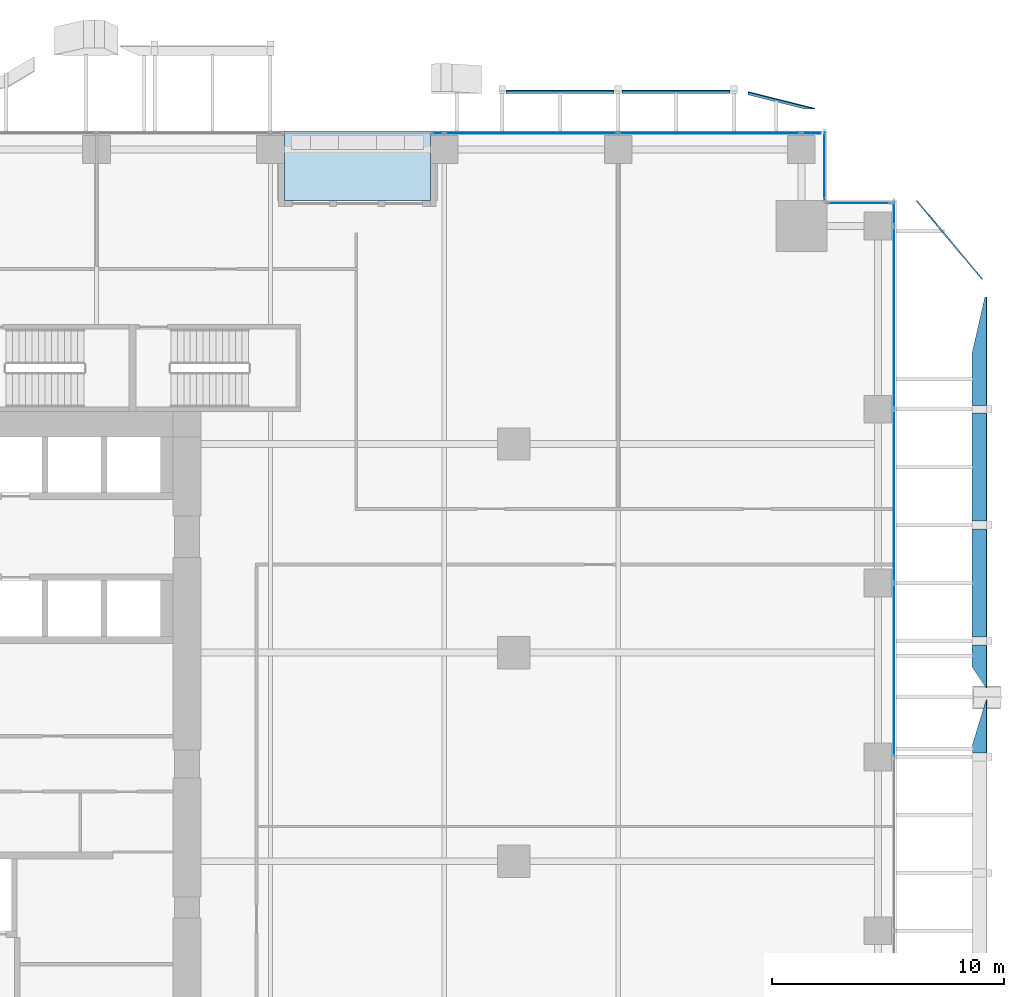
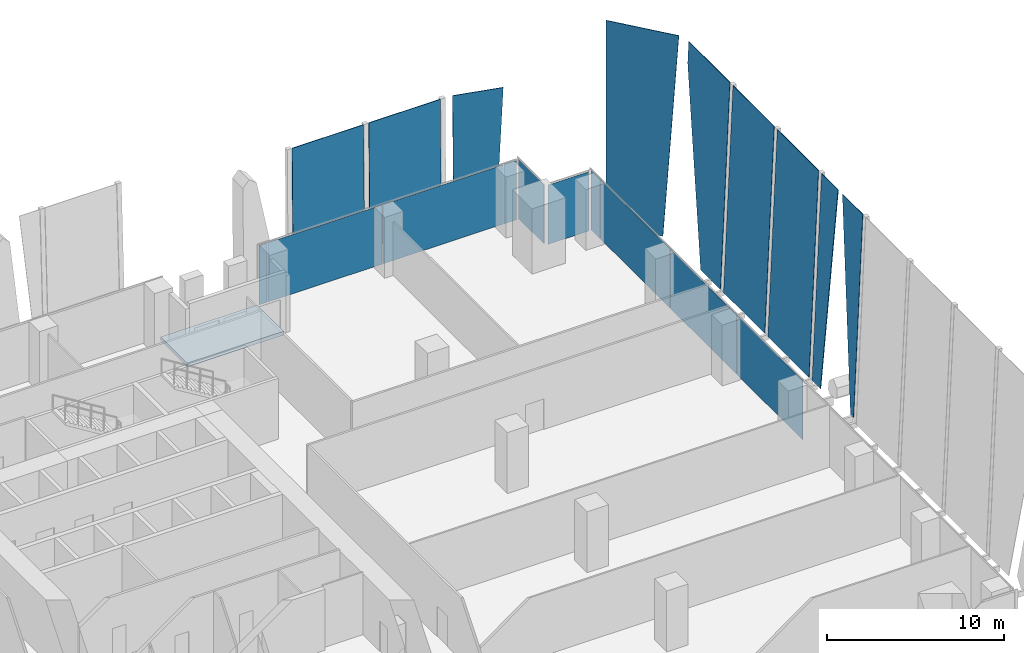
# One storey, part 26 of 35: 19 plates, 1 slab, 4 elements without a shape of their own.
"""IFC4 building model written with IfcOpenShell, lengths in metres."""

import ifcopenshell
import ifcopenshell.guid

model = None  # the IFC model being written
_history = None  # IfcOwnerHistory: only IFC2X3 demands one
_inside = {}  # id of a spatial element -> (the spatial element, [elements in it])
_under = {}  # id of a project, library or spatial element -> (it, [spatial elements below it])
_declared = {}  # id of a project -> (the project, [libraries it declares])
_typed = {}  # id of a type object -> (the type object, [elements of that type])
_made_of = {}  # id of a material, layer set ... -> (it, [elements and type objects made of it])


def new_model(schema):
    """Start an empty IFC model of exactly this schema.

    Asked for "IFC4X3", IfcOpenShell would pick the latest addendum, in which some entities
    have other attributes; the version numbers below select the first issue.
    IFC2X3 requires an IfcOwnerHistory on every rooted entity: one is made here for all.
    """
    global model, _history
    if schema == "IFC4X3":
        model = ifcopenshell.file(schema_version=(4, 3, 0, 0))
    else:
        model = ifcopenshell.file(schema=schema)
    _inside.clear()
    _under.clear()
    _declared.clear()
    _typed.clear()
    _made_of.clear()
    _history = None
    if model.schema == "IFC2X3":
        org = make("IfcOrganization", Name="unknown")
        user = make(
            "IfcPersonAndOrganization",
            ThePerson=make("IfcPerson", FamilyName="unknown"),
            TheOrganization=org,
        )
        app = make(
            "IfcApplication",
            ApplicationDeveloper=org,
            Version="unknown",
            ApplicationFullName="unknown",
            ApplicationIdentifier="unknown",
        )
        _history = make(
            "IfcOwnerHistory",
            OwningUser=user,
            OwningApplication=app,
            ChangeAction="ADDED",
            CreationDate=0,
        )
    return model


def make(cls, **values):
    """One entity of the class cls with the attributes given. An attribute that is None is left unset."""
    return model.create_entity(
        cls, **{name: value for name, value in values.items() if value is not None}
    )


def rooted(cls, **values):
    """An entity with a GlobalId (a new one), such as an element, a storey or a relation."""
    return make(cls, GlobalId=ifcopenshell.guid.new(), OwnerHistory=_history, **values)


def si_unit(unit_type, name, prefix=None):
    """IfcSIUnit, for example si_unit("LENGTHUNIT", "METRE", prefix="MILLI")."""
    return make("IfcSIUnit", UnitType=unit_type, Prefix=prefix, Name=name)


def assignment(units):
    """IfcUnitAssignment: the units of a project."""
    return None if units is None else make("IfcUnitAssignment", Units=units)


def point(xyz):
    """IfcCartesianPoint."""
    return None if xyz is None else make("IfcCartesianPoint", Coordinates=xyz)


def direction(xyz):
    """IfcDirection."""
    return None if xyz is None else make("IfcDirection", DirectionRatios=xyz)


def frame(location, z_axis=None, x_axis=None):
    """IfcAxis2Placement3D, a coordinate frame: its origin and axes. An axis left out is left unset."""
    return make(
        "IfcAxis2Placement3D",
        Location=point(location),
        Axis=direction(z_axis),
        RefDirection=direction(x_axis),
    )


def frame_2d(location, x_axis=None):
    """IfcAxis2Placement2D, a coordinate frame in the plane: its origin and x axis."""
    return make(
        "IfcAxis2Placement2D", Location=point(location), RefDirection=direction(x_axis)
    )


def origin():
    """The frame at (0, 0, 0) with its axes left unset."""
    return frame((0.0, 0.0, 0.0))


def origin_2d():
    """The frame at (0, 0) in the plane with its x axis left unset."""
    return frame_2d((0.0, 0.0))


def place(relative_to, where):
    """IfcLocalPlacement: puts the frame where relative to a parent placement (None: the world)."""
    return make(
        "IfcLocalPlacement", PlacementRelTo=relative_to, RelativePlacement=where
    )


def context(
    kind, dimensions, precision=None, world=None, true_north=None, identifier=None
):
    """IfcGeometricRepresentationContext, for example the 3D "Model" context."""
    return make(
        "IfcGeometricRepresentationContext",
        ContextIdentifier=identifier,
        ContextType=kind,
        CoordinateSpaceDimension=dimensions,
        Precision=precision,
        WorldCoordinateSystem=world,
        TrueNorth=true_north,
    )


def subcontext(parent, identifier, kind, view, scale=None):
    """IfcGeometricRepresentationSubContext, for example "Body" below "Model"."""
    return make(
        "IfcGeometricRepresentationSubContext",
        ContextIdentifier=identifier,
        ContextType=kind,
        ParentContext=parent,
        TargetScale=scale,
        TargetView=view,
    )


def project(units=None, contexts=None):
    """IfcProject with its units and contexts."""
    return rooted(
        "IfcProject",
        Name="project",
        RepresentationContexts=contexts,
        UnitsInContext=assignment(units),
    )


def spatial(cls, under=None, at=None, **own):
    """A site, building, storey or space (cls), placed at a placement, below another one or the project."""
    s = rooted(cls, ObjectPlacement=at, **own)
    if under is not None:
        _under.setdefault(under.id(), (under, []))[1].append(s)
    return s


def polyline(points):
    """IfcPolyline through the points."""
    return make("IfcPolyline", Points=[point(p) for p in points])


def profile(cls, at=None, kind="AREA", **sizes):
    """A parametric profile (cls). Its sizes go by their IFC names, for example OverallWidth=200.0."""
    return make(cls, ProfileType=kind, Position=at, **sizes)


def rectangle(**sizes):
    """IfcRectangleProfileDef."""
    return profile("IfcRectangleProfileDef", **sizes)


def outline(outer, holes=None, kind="AREA"):
    """IfcArbitraryClosedProfileDef: a profile drawn as a closed curve; with holes, ...WithVoids."""
    if holes is None:
        return make("IfcArbitraryClosedProfileDef", ProfileType=kind, OuterCurve=outer)
    return make(
        "IfcArbitraryProfileDefWithVoids",
        ProfileType=kind,
        OuterCurve=outer,
        InnerCurves=holes,
    )


def extrude(swept, where, along, depth):
    """IfcExtrudedAreaSolid: the profile swept, set in the frame where, extruded along a direction by depth."""
    return make(
        "IfcExtrudedAreaSolid",
        SweptArea=swept,
        Position=where,
        ExtrudedDirection=direction(along),
        Depth=depth,
    )


def shape(context_of_items, identifier, shape_type, items):
    """IfcShapeRepresentation: the items that make up one representation, for example the "Body"."""
    return make(
        "IfcShapeRepresentation",
        ContextOfItems=context_of_items,
        RepresentationIdentifier=identifier,
        RepresentationType=shape_type,
        Items=items,
    )


def source(mapping_origin, context_of_items, identifier, shape_type, items):
    """IfcRepresentationMap: a shape defined once, which mapped items show again and again."""
    return make(
        "IfcRepresentationMap",
        MappingOrigin=mapping_origin,
        MappedRepresentation=shape(context_of_items, identifier, shape_type, items),
    )


def transform(
    local_origin,
    x_axis=None,
    y_axis=None,
    z_axis=None,
    scale=None,
    scale2=None,
    scale3=None,
    uniform=True,
):
    """IfcCartesianTransformationOperator3D, or its non-uniform kind. x_axis, y_axis, z_axis: its Axis1, 2, 3."""
    if uniform:
        return make(
            "IfcCartesianTransformationOperator3D",
            Axis1=direction(x_axis),
            Axis2=direction(y_axis),
            LocalOrigin=point(local_origin),
            Scale=scale,
            Axis3=direction(z_axis),
        )
    return make(
        "IfcCartesianTransformationOperator3DnonUniform",
        Axis1=direction(x_axis),
        Axis2=direction(y_axis),
        LocalOrigin=point(local_origin),
        Scale=scale,
        Axis3=direction(z_axis),
        Scale2=scale2,
        Scale3=scale3,
    )


def mapped(mapping_source, mapping_target):
    """IfcMappedItem: shows the shape of a source again, moved by a transform."""
    return make(
        "IfcMappedItem", MappingSource=mapping_source, MappingTarget=mapping_target
    )


def material(Name=None, Category=None):
    """IfcMaterial."""
    return make("IfcMaterial", Name=Name, Category=Category)


def layer(
    of_material, thickness, ventilated=None, Name=None, Category=None, Priority=None
):
    """IfcMaterialLayer: one layer of a wall or slab, of a material (None: an air gap)."""
    return make(
        "IfcMaterialLayer",
        Material=of_material,
        LayerThickness=thickness,
        IsVentilated=ventilated,
        Name=Name,
        Category=Category,
        Priority=Priority,
    )


def layer_set(layers, Name=None):
    """IfcMaterialLayerSet."""
    return make("IfcMaterialLayerSet", MaterialLayers=layers, LayerSetName=Name)


def made_of(thing, what):
    """Note that an element or type object is made of a material, layer set ...; save() writes the relation."""
    if what is not None:
        _made_of.setdefault(what.id(), (what, []))[1].append(thing)
    return thing


def type_object(cls, material=None, **own):
    """A type object (cls), such as IfcWallType, which elements share."""
    return made_of(rooted(cls, **own), material)


def element(
    cls,
    number,
    at=None,
    inside=None,
    cuts=None,
    type_object=None,
    material=None,
    context=None,
    identifier="Body",
    shape_type=None,
    held_by="IfcProductDefinitionShape",
    body=None,
    shapes=None,
    **own,
):
    """One element of the class cls, such as IfcWall. Its Tag is "e" and its number.

    at: its placement. inside: the storey or other place that contains it. cuts: it is an
    opening in that element (IfcRelVoidsElement). A single representation is given by context,
    identifier, shape_type and body (its items); several are given by shapes. held_by: the class
    of the entity that holds the representations. save() writes the other relations.
    """
    e = rooted(cls, Tag="e%d" % number, ObjectPlacement=at, **own)
    if body is not None:
        shapes = [shape(context, identifier, shape_type, body)]
    if shapes is not None:
        e.Representation = make(held_by, Representations=shapes)
    if inside is not None:
        _inside.setdefault(inside.id(), (inside, []))[1].append(e)
    if cuts is not None:
        rooted(
            "IfcRelVoidsElement", RelatingBuildingElement=cuts, RelatedOpeningElement=e
        )
    if type_object is not None:
        _typed.setdefault(type_object.id(), (type_object, []))[1].append(e)
    return made_of(e, material)


def aggregate(whole, parts):
    """IfcRelAggregates: a whole, such as a stair, and the parts it consists of."""
    return rooted("IfcRelAggregates", RelatingObject=whole, RelatedObjects=parts)


def save(model, path):
    """Write the relations noted so far, then the file.

    IfcRelAggregates (storeys below a building ...), IfcRelContainedInSpatialStructure (elements
    in a storey), IfcRelDefinesByType, IfcRelAssociatesMaterial and IfcRelDeclares: one each for
    every whole, place, type object, material and project.
    """
    for whole, parts in _under.values():
        aggregate(whole, parts)
    for where, things in _inside.values():
        rooted(
            "IfcRelContainedInSpatialStructure",
            RelatedElements=things,
            RelatingStructure=where,
        )
    for kind, things in _typed.values():
        rooted("IfcRelDefinesByType", RelatedObjects=things, RelatingType=kind)
    for what, things in _made_of.values():
        rooted("IfcRelAssociatesMaterial", RelatedObjects=things, RelatingMaterial=what)
    for by, libraries in _declared.values():
        rooted("IfcRelDeclares", RelatingContext=by, RelatedDefinitions=libraries)
    model.write(path)


model = new_model("IFC4")

# Units and contexts
model_context = context("Model", 3, precision=1e-05, world=origin(), true_north=direction((0.0, 1.0)))
body_context = subcontext(model_context, "Body", "Model", "MODEL_VIEW")
ifc_project = project(units=[si_unit("LENGTHUNIT", "METRE"), si_unit("AREAUNIT", "SQUARE_METRE"), si_unit("VOLUMEUNIT", "CUBIC_METRE"), si_unit("PLANEANGLEUNIT", "RADIAN"), si_unit("MASSUNIT", "GRAM", prefix="KILO")], contexts=[model_context])

# Site, building, storey
site_placement = place(None, origin())
site = spatial("IfcSite", under=ifc_project, at=site_placement, CompositionType="ELEMENT")
building_placement = place(site_placement, origin())
building = spatial("IfcBuilding", under=site, at=building_placement, Name="Khomas Fold Tower", CompositionType="ELEMENT")
storey_placement = place(building_placement, frame((0.0, 0.0, 87.0)))
storey = spatial("IfcBuildingStorey", under=building, at=storey_placement, Name="L18", CompositionType="ELEMENT", Elevation=87.0)

# Plates
ifc_material_1 = material(Name="Clear laminated glass", Category="glass")
ifc_layer_1 = layer(ifc_material_1, 0.0400390625)
ifc_layer_set_1 = layer_set([ifc_layer_1], Name="Clear laminated glass")
plate_type_1 = type_object("IfcPlateType", Name="SK-Clear laminated glass leaf", PredefinedType="SHEET", material=ifc_layer_set_1)
plate_1_placement = place(storey_placement, frame((57.88037109375, 27.169921875, 14.050048828125), z_axis=(-0.999041999551, 0.0, 0.04376166282), x_axis=(0.0, 1.0, 0.0)))
element("IfcPlate", 1, at=plate_1_placement, inside=storey, type_object=plate_type_1, Name="OUTER SKIN glass L18 EG103-10", PredefinedType="SHEET", context=body_context, shape_type="SweptSolid", body=[
    extrude(outline(polyline([(0.0, 0.0), (2.30029296875, 0.0), (0.341552734375, 13.813281958440678), (0.0, 13.813281958440678), (0.0, 0.0)])), origin(), (0.0, 0.0, -1.0), 0.0400390625),
])
plate_2_placement = place(storey_placement, frame((57.264892578125, 30.890625, 0.0), z_axis=(-0.999041889432, 0.0, 0.043764176671), x_axis=(0.043669957868, -0.065582887937, 0.996891077094)))
element("IfcPlate", 2, at=plate_2_placement, inside=storey, type_object=plate_type_1, Name="OUTER SKIN glass L18 EG103-11", PredefinedType="SHEET", context=body_context, shape_type="SweptSolid", body=[
    extrude(outline(polyline([(0.0, 0.0), (14.093865569628353, 1.1102230246251565e-16), (13.971634181320265, 1.859757068363533), (-0.061612049018800887, 0.937430599824846), (0.0, 0.0)])), origin(), (0.0, 0.0, -1.0), 0.0400390625),
])
for number, where, z_axis, x_axis, name in (
    (3, (57.264892578125, 32.169921875, 0.0), (-0.999041889432, 0.0, 0.043764176671), (0.043764176671, 0.0, 0.999041889432), "OUTER SKIN glass L18 EG104-13"),
    (4, (57.264892578125, 37.169921875, 0.0), (-0.999041889432, 0.0, 0.043764176671), (0.043764176671, 0.0, 0.999041889432), "OUTER SKIN glass L18 EG105-15"),
):
    element("IfcPlate", number, at=place(storey_placement, frame(where, z_axis=z_axis, x_axis=x_axis)), inside=storey, type_object=plate_type_1, Name=name, PredefinedType="SHEET", context=body_context, shape_type="SweptSolid", body=[
        extrude(outline(polyline([(0.0, 0.0), (14.06352323836003, 0.0), (14.06352323836003, 4.66015625), (0.0, 4.66015625), (0.0, 0.0)])), origin(), (0.0, 0.0, -1.0), 0.0400390625),
    ])
plate_3_placement = place(storey_placement, frame((57.264892578125, 44.411376953125, 0.0), z_axis=(-0.999041755518, -1.7770157e-05, 0.043767229919), x_axis=(1.7753129e-05, -0.999999999842, -7.77751e-07)))
element("IfcPlate", 5, at=plate_3_placement, inside=storey, type_object=plate_type_1, Name="OUTER SKIN glass L18 EG106-17", PredefinedType="SHEET", context=body_context, shape_type="SweptSolid", body=[
    extrude(outline(polyline([(0.0, 0.0), (2.2414550777710986, -2.373232876202921e-22), (2.2414550770073247, 14.063523238294355), (-2.4187011722568874, 14.063523238294355), (-2.4187011744362676, 12.604844709517032), (0.0, 0.0)])), origin(), (0.0, 0.0, -1.0), 0.0400390625),
])
plate_4_placement = place(storey_placement, frame((57.09814453125, 48.3623046875, 0.0), z_axis=(0.768200828643, 0.640208940012, 1.092516e-06), x_axis=(0.043687531728, -0.052423335487, 0.997668879673)))
element("IfcPlate", 6, at=plate_4_placement, inside=storey, type_object=plate_type_1, Name="OUTER SKIN glass L18 EG107-18", PredefinedType="SHEET", context=body_context, shape_type="SweptSolid", body=[
    extrude(outline(polyline([(0.0, 0.0), (14.08287771063657, 1.1102230246251565e-16), (13.782983912111671, -4.38439640402836), (-0.23431256159386898, -3.425609858073881), (0.0, 0.0)])), origin(), (0.0, 0.0, -1.0), 0.0400390625),
])
for number, where, z_axis, x_axis, name in (
    (7, (41.830078125, 55.721923828125, 8.550048828125), (0.0, -0.999913371991, 0.013162390123), (0.0, -0.013162390123, -0.999913371991), "OUTER SKIN glass L18 NG105-12"),
    (8, (46.830078125, 55.721923828125, 8.550048828125), (0.0, -0.999913371991, 0.013162390123), (0.0, -0.013162390123, -0.999913371991), "OUTER SKIN glass L18 NG106-14"),
):
    element("IfcPlate", number, at=place(storey_placement, frame(where, z_axis=z_axis, x_axis=x_axis)), inside=storey, type_object=plate_type_1, Name=name, PredefinedType="SHEET", context=body_context, shape_type="SweptSolid", body=[
        extrude(outline(polyline([(0.0, 0.0), (8.550789566001143, 0.0), (8.550789566001143, -4.660156250000001), (0.0, -4.660156250000001), (0.0, 0.0)])), origin(), (0.0, 0.0, -1.0), 0.0400390625),
    ])
plate_5_placement = place(storey_placement, frame((47.60009765625, 55.671875, 8.550048828125), z_axis=(-0.24258917887, -0.970045361566, 0.01274703099), x_axis=(0.970124181578, -0.242608887547, 2.01736e-07)))
element("IfcPlate", 9, at=plate_5_placement, inside=storey, type_object=plate_type_1, Name="OUTER SKIN glass L18 NG107-16", PredefinedType="SHEET", context=body_context, shape_type="SweptSolid", body=[
    extrude(outline(polyline([(0.0, 0.0), (2.975857648349877, 0.0), (2.539821104582778, -8.550744060235475), (0.027244390451030956, -8.550742952932632), (0.0, 0.0)])), origin(), (0.0, 0.0, -1.0), 0.0400390625),
])

# Curtain wall, plate
ifc_material_2 = material(Name="Aluminium framed double glazing", Category="aluminium")
curtain_wall_type = type_object("IfcCurtainWallType", Name="SK-Unitised clear-glass wall, growing floors CW1", PredefinedType="NOTDEFINED", material=ifc_material_2)
curtain_wall_1_placement = place(storey_placement, origin())
curtain_wall_1 = element("IfcCurtainWall", 10, at=curtain_wall_1_placement, inside=storey, type_object=curtain_wall_type, Name="CW1 run L18 06-0", PredefinedType="NOTDEFINED")
ifc_material_3 = material(Name="Clear double glazed unit")
ifc_layer_2 = layer(ifc_material_3, 0.031982421875)
ifc_layer_set_2 = layer_set([ifc_layer_2], Name="Clear double glazed unit")
plate_type_2 = type_object("IfcPlateType", Name="SK-Unitised clear-glass wall, growing floors glass panel CW1-P", PredefinedType="CURTAIN_PANEL", material=ifc_layer_set_2)
shared_shape_1 = source(origin(), body_context, "Body", "SweptSolid", [
    extrude(rectangle(XDim=0.81005859375, YDim=0.031982421875, at=origin_2d()), origin(), (0.0, 0.0, 1.0), 4.080078125),
])
plate_6_placement = place(storey_placement, frame((50.3349609375, 53.89990234375, 0.0), z_axis=(0.0, 0.0, 1.0), x_axis=(-1.0, 0.0, 0.0)))
plate_6 = element("IfcPlate", 11, at=plate_6_placement, type_object=plate_type_2, Name="CW1 glass panel 1", PredefinedType="CURTAIN_PANEL", context=body_context, shape_type="MappedRepresentation", body=[
    mapped(shared_shape_1, transform((0.0, 0.0, 0.0))),
])

curtain_wall_2_placement = place(storey_placement, origin())
curtain_wall_2 = element("IfcCurtainWall", 12, at=curtain_wall_2_placement, inside=storey, type_object=curtain_wall_type, Name="CW1 run L18 03-0", PredefinedType="NOTDEFINED")
shared_shape_2 = source(origin(), body_context, "Body", "SweptSolid", [
    extrude(rectangle(XDim=7.840087890625, YDim=0.031982421875, at=origin_2d()), origin(), (0.0, 0.0, 1.0), 4.080078125),
])
plate_7_placement = place(storey_placement, frame((53.89990234375, 45.949951171875, 0.0), z_axis=(0.0, 0.0, 1.0), x_axis=(0.0, 1.0, 0.0)))
plate_7 = element("IfcPlate", 13, at=plate_7_placement, type_object=plate_type_2, Name="CW1 glass panel 7", PredefinedType="CURTAIN_PANEL", context=body_context, shape_type="MappedRepresentation", body=[
    mapped(shared_shape_2, transform((0.0, 0.0, 0.0))),
])

# Plate
plate_8_placement = place(storey_placement, frame((45.949951171875, 53.89990234375, 0.0), z_axis=(0.0, 0.0, 1.0), x_axis=(-1.0, 0.0, 0.0)))
plate_8 = element("IfcPlate", 14, at=plate_8_placement, type_object=plate_type_2, Name="CW1 glass panel 2", PredefinedType="CURTAIN_PANEL", context=body_context, shape_type="MappedRepresentation", body=[
    mapped(shared_shape_2, transform((0.0, 0.0, 0.0))),
])

shared_shape_3 = source(origin(), body_context, "Body", "SweptSolid", [
    extrude(rectangle(XDim=7.43994140625, YDim=0.031982421875, at=origin_2d()), origin(), (0.0, 0.0, 1.0), 4.080078125),
])
plate_9_placement = place(storey_placement, frame((53.89990234375, 30.75, 0.0), z_axis=(0.0, 0.0, 1.0), x_axis=(0.0, 1.0, 0.0)))
plate_9 = element("IfcPlate", 15, at=plate_9_placement, type_object=plate_type_2, Name="CW1 glass panel 5", PredefinedType="CURTAIN_PANEL", context=body_context, shape_type="MappedRepresentation", body=[
    mapped(shared_shape_3, transform((0.0, 0.0, 0.0))),
])

plate_10_placement = place(storey_placement, frame((53.89990234375, 38.25, 0.0), z_axis=(0.0, 0.0, 1.0), x_axis=(0.0, 1.0, 0.0)))
plate_10 = element("IfcPlate", 16, at=plate_10_placement, type_object=plate_type_2, Name="CW1 glass panel 6", PredefinedType="CURTAIN_PANEL", context=body_context, shape_type="MappedRepresentation", body=[
    mapped(shared_shape_3, transform((0.0, 0.0, 0.0))),
])

plate_11_placement = place(storey_placement, frame((38.25, 53.89990234375, 0.0), z_axis=(0.0, 0.0, 1.0), x_axis=(-1.0, 0.0, 0.0)))
plate_11 = element("IfcPlate", 17, at=plate_11_placement, type_object=plate_type_2, Name="CW1 glass panel 3", PredefinedType="CURTAIN_PANEL", context=body_context, shape_type="MappedRepresentation", body=[
    mapped(shared_shape_3, transform((0.0, 0.0, 0.0))),
])

shared_shape_4 = source(origin(), body_context, "Body", "SweptSolid", [
    extrude(rectangle(XDim=1.010009765625, YDim=0.031982421875, at=origin_2d()), origin(), (0.0, 0.0, 1.0), 4.080078125),
])
plate_12_placement = place(storey_placement, frame((53.89990234375, 50.43505859375, 0.0), z_axis=(0.0, 0.0, 1.0), x_axis=(0.0, 1.0, 0.0)))
plate_12 = element("IfcPlate", 18, at=plate_12_placement, type_object=plate_type_2, Name="CW1 glass panel 8", PredefinedType="CURTAIN_PANEL", context=body_context, shape_type="MappedRepresentation", body=[
    mapped(shared_shape_4, transform((0.0, 0.0, 0.0))),
])

aggregate(curtain_wall_2, [plate_9, plate_10, plate_7, plate_12])

# Curtain wall, plate
curtain_wall_3_placement = place(storey_placement, origin())
curtain_wall_3 = element("IfcCurtainWall", 19, at=curtain_wall_3_placement, inside=storey, type_object=curtain_wall_type, Name="CW1 corner return L18 04", PredefinedType="NOTDEFINED")
shared_shape_5 = source(origin(), body_context, "Body", "SweptSolid", [
    extrude(rectangle(XDim=2.679931640625, YDim=0.031982421875, at=origin_2d()), origin(), (0.0, 0.0, 1.0), 4.080078125),
])
plate_13_placement = place(storey_placement, frame((52.39990234375, 50.89990234375, 0.0), z_axis=(0.0, 0.0, 1.0), x_axis=(-1.0, 0.0, 0.0)))
plate_13 = element("IfcPlate", 20, at=plate_13_placement, type_object=plate_type_2, Name="CW1 glass panel 1", PredefinedType="CURTAIN_PANEL", context=body_context, shape_type="MappedRepresentation", body=[
    mapped(shared_shape_5, transform((0.0, 0.0, 0.0))),
])
aggregate(curtain_wall_3, [plate_13])

curtain_wall_4_placement = place(storey_placement, origin())
curtain_wall_4 = element("IfcCurtainWall", 21, at=curtain_wall_4_placement, inside=storey, type_object=curtain_wall_type, Name="CW1 corner return L18 05", PredefinedType="NOTDEFINED")
shared_shape_6 = source(origin(), body_context, "Body", "SweptSolid", [
    extrude(rectangle(XDim=2.8798828125, YDim=0.031982421875, at=origin_2d()), origin(), (0.0, 0.0, 1.0), 4.080078125),
])
plate_14_placement = place(storey_placement, frame((50.89990234375, 52.5, 0.0), z_axis=(0.0, 0.0, 1.0), x_axis=(0.0, 1.0, 0.0)))
plate_14 = element("IfcPlate", 22, at=plate_14_placement, type_object=plate_type_2, Name="CW1 glass panel 1", PredefinedType="CURTAIN_PANEL", context=body_context, shape_type="MappedRepresentation", body=[
    mapped(shared_shape_6, transform((0.0, 0.0, 0.0))),
])
aggregate(curtain_wall_4, [plate_14])

# Plate
shared_shape_7 = source(origin(), body_context, "Body", "SweptSolid", [
    extrude(rectangle(XDim=0.510009765625, YDim=0.031982421875, at=origin_2d()), origin(), (0.0, 0.0, 1.0), 4.080078125),
])
plate_15_placement = place(storey_placement, frame((34.215087890625, 53.89990234375, 0.0), z_axis=(0.0, 0.0, 1.0), x_axis=(-1.0, 0.0, 0.0)))
plate_15 = element("IfcPlate", 23, at=plate_15_placement, type_object=plate_type_2, Name="CW1 glass panel 4", PredefinedType="CURTAIN_PANEL", context=body_context, shape_type="MappedRepresentation", body=[
    mapped(shared_shape_7, transform((0.0, 0.0, 0.0))),
])

aggregate(curtain_wall_1, [plate_6, plate_8, plate_11, plate_15])

# Slab
ifc_material_4 = material(Name="Concrete C40/50", Category="concrete")
ifc_layer_3 = layer(ifc_material_4, 0.2548828125)
ifc_layer_set_3 = layer_set([ifc_layer_3], Name="Concrete C40/50")
slab_type = type_object("IfcSlabType", Name="BL-Balcony deck 255", PredefinedType="FLOOR", material=ifc_layer_set_3)
shared_shape_8 = source(origin(), body_context, "Body", "SweptSolid", [
    extrude(outline(polyline([(27.60009765625, 51.0), (33.89990234375, 51.0), (33.89990234375, 54.0), (27.60009765625, 54.0), (27.60009765625, 51.0)])), origin(), (0.0, 0.0, 1.0), 0.255126953125),
])
slab_placement = place(storey_placement, frame((0.0, 0.0, -0.300048828125)))
element("IfcSlab", 24, at=slab_placement, inside=storey, type_object=slab_type, Name="Balcony deck BAL-L18-N3", PredefinedType="FLOOR", context=body_context, shape_type="MappedRepresentation", body=[
    mapped(shared_shape_8, transform((0.0, 0.0, 0.0))),
])

save(model, "model.ifc")
